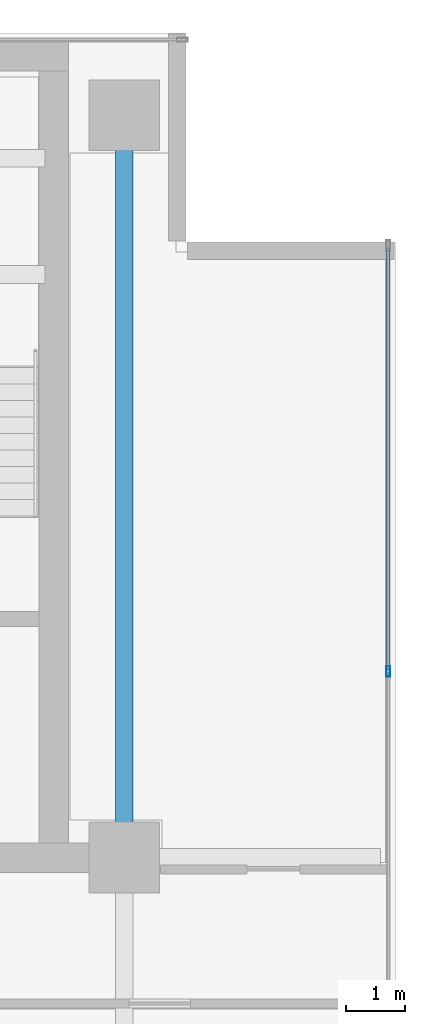
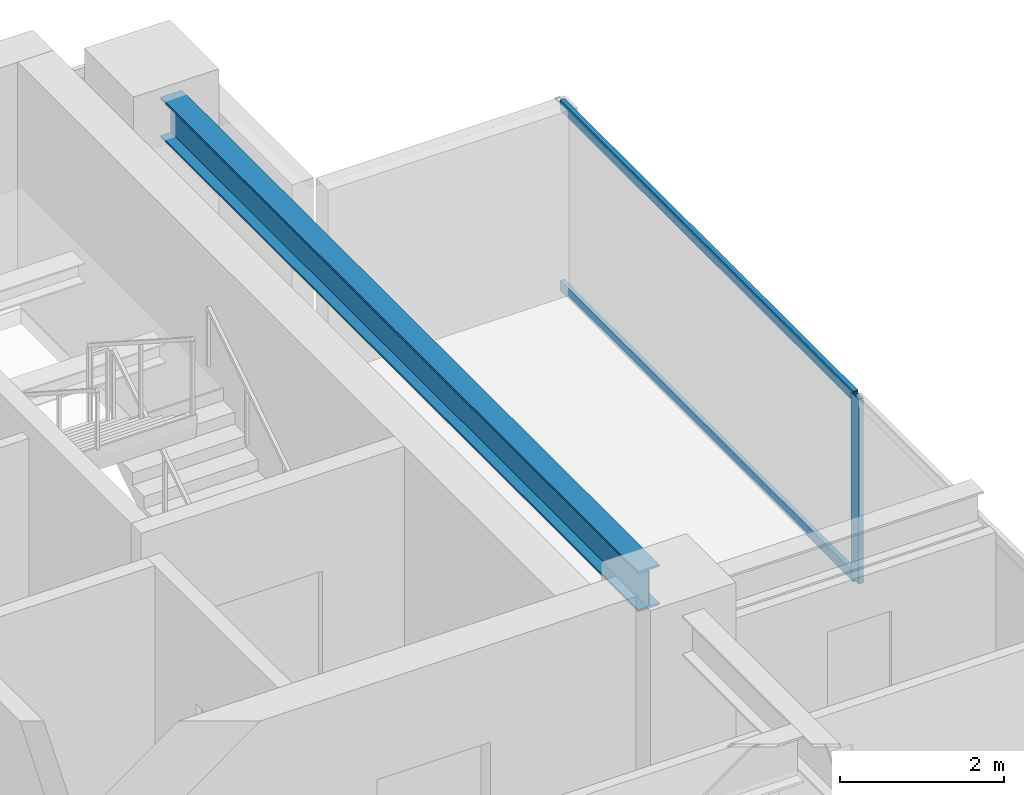
# One storey, part 10 of 20: 3 members, 1 beam, 1 element without a shape of its own.
"""IFC4 building model written with IfcOpenShell, lengths in metres."""

from ifc_helpers import new_model, si_unit, direction, frame, origin, origin_2d, place, context, subcontext, project, spatial, hollow_rectangle, i_section, extrude, source, transform, mapped, material, layer, layer_set, material_profile, profile_set, type_object, element, aggregate, save


model = new_model("IFC4")

# Units and contexts
model_context = context("Model", 3, precision=1e-05, world=origin(), true_north=direction((0.0, 1.0)))
body_context = subcontext(model_context, "Body", "Model", "MODEL_VIEW")
ifc_project = project(units=[si_unit("LENGTHUNIT", "METRE"), si_unit("AREAUNIT", "SQUARE_METRE"), si_unit("VOLUMEUNIT", "CUBIC_METRE"), si_unit("PLANEANGLEUNIT", "RADIAN"), si_unit("MASSUNIT", "GRAM", prefix="KILO")], contexts=[model_context])

# Site, building, storey
site_placement = place(None, origin())
site = spatial("IfcSite", under=ifc_project, at=site_placement, CompositionType="ELEMENT")
building_placement = place(site_placement, origin())
building = spatial("IfcBuilding", under=site, at=building_placement, Name="Sumidabori Civic Tower", CompositionType="ELEMENT")
storey_placement = place(building_placement, frame((0.0, 0.0, 282.800048828125)))
storey = spatial("IfcBuildingStorey", under=building, at=storey_placement, Name="L74", CompositionType="ELEMENT", Elevation=282.800048828125)

# Beam
ifc_material_1 = material(Name="Steel SN490", Category="steel")
ifc_material_profile_1 = material_profile(ifc_material_1, i_section(OverallWidth=0.300048828125, OverallDepth=0.60009765625, WebThickness=0.015380859375, FlangeThickness=0.030029296875, at=origin_2d()), Name="HE 600 B")
ifc_profile_set_1 = profile_set([ifc_material_profile_1], Name="Steel SN490")
beam_type = type_object("IfcBeamType", Name="BM-GIRD-600", PredefinedType="BEAM", material=ifc_profile_set_1)
shared_shape_1 = source(origin(), body_context, "Body", "SweptSolid", [
    extrude(i_section(OverallWidth=0.300048828125, OverallDepth=0.60009765625, WebThickness=0.015380859375, FlangeThickness=0.030029296875, at=origin_2d()), origin(), (0.0, 0.0, 1.0), 11.64013671875),
])
beam_placement = place(storey_placement, frame((16.800048828125, 10.679931640625, 3.070068359375), z_axis=(0.0, 1.0, 0.0), x_axis=(-1.0, 0.0, 0.0)))
element("IfcBeam", 1, at=beam_placement, inside=storey, type_object=beam_type, Name="Primary Girder L74 GY-17", PredefinedType="BEAM", context=body_context, shape_type="MappedRepresentation", body=[
    mapped(shared_shape_1, transform((0.0, 0.0, 0.0), x_axis=(1.0, 0.0, 0.0), y_axis=(0.0, 1.0, 0.0), z_axis=(0.0, 0.0, 1.0), scale=1.0)),
])

# Curtain wall, members
ifc_material_2 = material(Name="Anodised Bronze Aluminium AW-6063-T6", Category="aluminium")
ifc_layer = layer(ifc_material_2, 0.179931640625, Name="Anodised Bronze Aluminium AW-6063-T6")
ifc_layer_set = layer_set([ifc_layer], Name="Anodised Bronze Aluminium AW-6063-T6")
curtain_wall_type = type_object("IfcCurtainWallType", Name="CW-SYS-6", PredefinedType="NOTDEFINED", material=ifc_layer_set)
curtain_wall_placement = place(storey_placement, origin())
curtain_wall = element("IfcCurtainWall", 2, at=curtain_wall_placement, inside=storey, type_object=curtain_wall_type, Name="Curtain Wall CW:L74:R04", PredefinedType="NOTDEFINED")
ifc_material_profile_2 = material_profile(ifc_material_2, hollow_rectangle(XDim=0.070068359375, YDim=0.179931640625, WallThickness=0.006103515625, at=origin_2d()), Name="ALU MULLION 180x70")
ifc_profile_set_2 = profile_set([ifc_material_profile_2], Name="Anodised Bronze Aluminium AW-6063-T6")
member_type_1 = type_object("IfcMemberType", Name="CW-MUL-180", PredefinedType="MULLION", material=ifc_profile_set_2)
shared_shape_2 = source(origin(), body_context, "Body", "SweptSolid", [
    extrude(hollow_rectangle(XDim=0.070068359375, YDim=0.179931640625, WallThickness=0.006103515625, at=origin_2d()), origin(), (0.0, 0.0, 1.0), 2.75),
])
member_1_placement = place(storey_placement, frame((21.280029296875, 13.360107421875, 0.0), z_axis=(0.0, 0.0, 1.0), x_axis=(-1.0, 0.0, 0.0)))
member_1 = element("IfcMember", 3, at=member_1_placement, type_object=member_type_1, Name="CW-6 mullion 4", PredefinedType="MULLION", context=body_context, shape_type="MappedRepresentation", body=[
    mapped(shared_shape_2, transform((0.0, 0.0, 0.0), x_axis=(1.0, 0.0, 0.0), y_axis=(0.0, 1.0, 0.0), z_axis=(0.0, 0.0, 1.0), scale=1.0)),
])
ifc_material_profile_3 = material_profile(ifc_material_2, hollow_rectangle(XDim=0.06494140625, YDim=0.14990234375, WallThickness=0.0048828125, at=origin_2d()), Name="ALU TRANSOM 150x65")
ifc_profile_set_3 = profile_set([ifc_material_profile_3], Name="Anodised Bronze Aluminium AW-6063-T6")
member_type_2 = type_object("IfcMemberType", Name="CW-TRN-150", PredefinedType="USERDEFINED", material=ifc_profile_set_3)
shared_shape_3 = source(origin(), body_context, "Body", "SweptSolid", [
    extrude(hollow_rectangle(XDim=0.06494140625, YDim=0.14990234375, WallThickness=0.0048828125, at=origin_2d()), origin(), (0.0, 0.0, 1.0), 7.155029296875),
])
member_2_placement = place(storey_placement, frame((21.280029296875, 13.39501953125, 0.032470703125), z_axis=(0.0, 1.0, 0.0), x_axis=(-1.0, 0.0, 0.0)))
member_2 = element("IfcMember", 4, at=member_2_placement, type_object=member_type_2, Name="CW-6 transom 4.1", ObjectType="TRANSOM", PredefinedType="USERDEFINED", context=body_context, shape_type="MappedRepresentation", body=[
    mapped(shared_shape_3, transform((0.0, 0.0, 0.0), x_axis=(1.0, 0.0, 0.0), y_axis=(0.0, 1.0, 0.0), z_axis=(0.0, 0.0, 1.0), scale=1.0)),
])
member_3_placement = place(storey_placement, frame((21.280029296875, 13.39501953125, 2.717529296875), z_axis=(0.0, 1.0, 0.0), x_axis=(-1.0, 0.0, 0.0)))
member_3 = element("IfcMember", 5, at=member_3_placement, type_object=member_type_2, Name="CW-6 transom 4.2", ObjectType="TRANSOM", PredefinedType="USERDEFINED", context=body_context, shape_type="MappedRepresentation", body=[
    mapped(shared_shape_3, transform((0.0, 0.0, 0.0), x_axis=(1.0, 0.0, 0.0), y_axis=(0.0, 1.0, 0.0), z_axis=(0.0, 0.0, 1.0), scale=1.0)),
])
aggregate(curtain_wall, [member_1, member_2, member_3])

save(model, "model.ifc")
